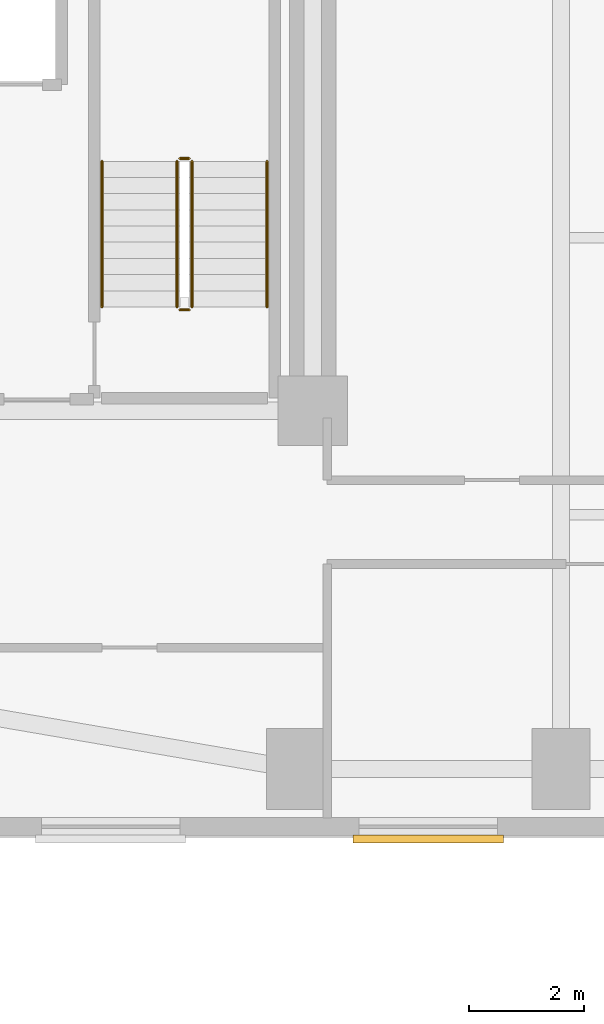
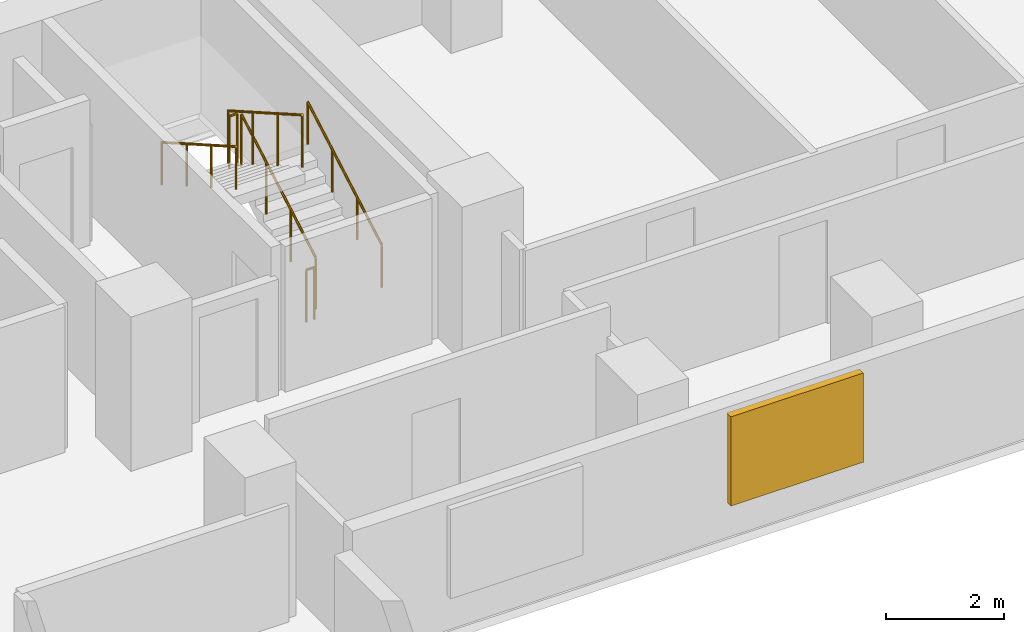
# One storey, part 15 of 17: 6 railings, 1 shading device.
"""IFC4 building model written with IfcOpenShell, lengths in metres."""

from ifc_helpers import new_model, si_unit, direction, frame, origin, origin_2d, place, context, subcontext, project, spatial, rectangle, circle, extrude, material, layer, layer_set, type_object, element, save


model = new_model("IFC4")

# Units and contexts
model_context = context("Model", 3, precision=1e-05, world=origin(), true_north=direction((0.0, 1.0)))
body_context = subcontext(model_context, "Body", "Model", "MODEL_VIEW")
ifc_project = project(units=[si_unit("LENGTHUNIT", "METRE"), si_unit("AREAUNIT", "SQUARE_METRE"), si_unit("VOLUMEUNIT", "CUBIC_METRE"), si_unit("PLANEANGLEUNIT", "RADIAN"), si_unit("MASSUNIT", "GRAM", prefix="KILO")], contexts=[model_context])

# Site, building, storey
site_placement = place(None, origin())
site = spatial("IfcSite", under=ifc_project, at=site_placement, CompositionType="ELEMENT")
building_placement = place(site_placement, origin())
building = spatial("IfcBuilding", under=site, at=building_placement, Name="Kuzgunbayir Cultural Tower", CompositionType="ELEMENT")
storey_placement = place(building_placement, frame((0.0, 0.0, 43.60009765625)))
storey = spatial("IfcBuildingStorey", under=building, at=storey_placement, Name="L11", CompositionType="ELEMENT", Elevation=43.60009765625)

# Railings
ifc_material_1 = material(Name="Brushed Stainless Steel", Category="steel")
ifc_layer_1 = layer(ifc_material_1, 0.050048828125)
ifc_layer_set_1 = layer_set([ifc_layer_1], Name="Brushed Stainless Steel")
railing_type_1 = type_object("IfcRailingType", Name="RLG-STAIR-HANDRAIL", PredefinedType="HANDRAIL", material=ifc_layer_set_1)
railing_1_placement = place(storey_placement, frame((26.110107421875, 35.60009765625, 0.159912109375)))
element("IfcRailing", 1, at=railing_1_placement, inside=storey, type_object=railing_type_1, Name="L11 ST-2 stair handrail 1", PredefinedType="HANDRAIL", context=body_context, shape_type="SweptSolid", body=[
    extrude(circle(Radius=0.02392578125, at=origin_2d()), frame((0.0, 0.0, 0.8759765625), z_axis=(0.0, 0.868253494771, 0.496120820787), x_axis=(-1.0, 0.0, 0.0)), (0.0, 0.0, 1.0), 2.90234375),
    extrude(circle(Radius=0.02099609375, at=origin_2d()), origin(), (0.0, 0.0, 1.0), 0.851806640625),
    extrude(circle(Radius=0.02099609375, at=origin_2d()), frame((0.0, 0.840087890625, 0.47998046875)), (0.0, 0.0, 1.0), 0.851806640625),
    extrude(circle(Radius=0.02099609375, at=origin_2d()), frame((0.0, 1.679931640625, 0.9599609375)), (0.0, 0.0, 1.0), 0.851806640625),
    extrude(circle(Radius=0.02099609375, at=origin_2d()), frame((0.0, 2.52001953125, 1.43994140625)), (0.0, 0.0, 1.0), 0.851806640625),
])
railing_2_placement = place(storey_placement, frame((23.25, 38.1201171875, 1.760009765625)))
element("IfcRailing", 2, at=railing_2_placement, inside=storey, type_object=railing_type_1, Name="L11 ST-2 stair handrail 2", PredefinedType="HANDRAIL", context=body_context, shape_type="SweptSolid", body=[
    extrude(circle(Radius=0.02392578125, at=origin_2d()), frame((0.0, 0.0, 0.8759765625), z_axis=(0.0, -0.868253494771, 0.496120820787), x_axis=(1.0, 0.0, 0.0)), (0.0, 0.0, 1.0), 2.90234375),
    extrude(circle(Radius=0.02099609375, at=origin_2d()), origin(), (0.0, 0.0, 1.0), 0.851806640625),
    extrude(circle(Radius=0.02099609375, at=origin_2d()), frame((0.0, -0.840087890625, 0.47998046875)), (0.0, 0.0, 1.0), 0.851806640625),
    extrude(circle(Radius=0.02099609375, at=origin_2d()), frame((0.0, -1.679931640625, 0.9599609375)), (0.0, 0.0, 1.0), 0.851806640625),
    extrude(circle(Radius=0.02099609375, at=origin_2d()), frame((0.0, -2.52001953125, 1.43994140625)), (0.0, 0.0, 1.0), 0.851806640625),
])
ifc_material_2 = material(Name="Painted Steel Balustrade", Category="steel")
ifc_layer_2 = layer(ifc_material_2, 0.06005859375)
ifc_layer_set_2 = layer_set([ifc_layer_2], Name="Painted Steel Balustrade")
railing_type_2 = type_object("IfcRailingType", Name="RLG-WELL-GUARD", PredefinedType="GUARDRAIL", material=ifc_layer_set_2)
railing_3_placement = place(storey_placement, frame((24.81005859375, 35.60009765625, 0.159912109375)))
element("IfcRailing", 3, at=railing_3_placement, inside=storey, type_object=railing_type_2, Name="L11 ST-2 stair guard 1", PredefinedType="GUARDRAIL", context=body_context, shape_type="SweptSolid", body=[
    extrude(circle(Radius=0.02392578125, at=origin_2d()), frame((0.0, 0.0, 1.076171875), z_axis=(0.0, 0.868253494771, 0.496120820787), x_axis=(-1.0, 0.0, 0.0)), (0.0, 0.0, 1.0), 2.90234375),
    extrude(circle(Radius=0.02099609375, at=origin_2d()), origin(), (0.0, 0.0, 1.0), 1.052001953125),
    extrude(circle(Radius=0.02099609375, at=origin_2d()), frame((0.0, 0.840087890625, 0.47998046875)), (0.0, 0.0, 1.0), 1.052001953125),
    extrude(circle(Radius=0.02099609375, at=origin_2d()), frame((0.0, 1.679931640625, 0.9599609375)), (0.0, 0.0, 1.0), 1.052001953125),
    extrude(circle(Radius=0.02099609375, at=origin_2d()), frame((0.0, 2.52001953125, 1.43994140625)), (0.0, 0.0, 1.0), 1.052001953125),
])
railing_4_placement = place(storey_placement, frame((24.760009765625, 38.169921875, 1.599853515625)))
element("IfcRailing", 4, at=railing_4_placement, inside=storey, type_object=railing_type_2, Name="L11 ST-2 stair guard 2", PredefinedType="GUARDRAIL", context=body_context, shape_type="SweptSolid", body=[
    extrude(circle(Radius=0.02392578125, at=origin_2d()), frame((0.0, 0.0, 1.076171875), z_axis=(-1.0, 0.0, 0.0), x_axis=(0.0, -1.0, 0.0)), (0.0, 0.0, 1.0), 0.159912109375),
    extrude(circle(Radius=0.02099609375, at=origin_2d()), origin(), (0.0, 0.0, 1.0), 1.052001953125),
    extrude(circle(Radius=0.02099609375, at=origin_2d()), frame((-0.159912109375, 0.0, 0.0)), (0.0, 0.0, 1.0), 1.052001953125),
])
railing_5_placement = place(storey_placement, frame((24.550048828125, 38.1201171875, 1.760009765625)))
element("IfcRailing", 5, at=railing_5_placement, inside=storey, type_object=railing_type_2, Name="L11 ST-2 stair guard 3", PredefinedType="GUARDRAIL", context=body_context, shape_type="SweptSolid", body=[
    extrude(circle(Radius=0.02392578125, at=origin_2d()), frame((0.0, 0.0, 1.076171875), z_axis=(0.0, -0.868253494771, 0.496120820787), x_axis=(1.0, 0.0, 0.0)), (0.0, 0.0, 1.0), 2.90234375),
    extrude(circle(Radius=0.02099609375, at=origin_2d()), origin(), (0.0, 0.0, 1.0), 1.052001953125),
    extrude(circle(Radius=0.02099609375, at=origin_2d()), frame((0.0, -0.840087890625, 0.47998046875)), (0.0, 0.0, 1.0), 1.052001953125),
    extrude(circle(Radius=0.02099609375, at=origin_2d()), frame((0.0, -1.679931640625, 0.9599609375)), (0.0, 0.0, 1.0), 1.052001953125),
    extrude(circle(Radius=0.02099609375, at=origin_2d()), frame((0.0, -2.52001953125, 1.43994140625)), (0.0, 0.0, 1.0), 1.052001953125),
])
railing_6_placement = place(storey_placement, frame((24.760009765625, 35.550048828125, 0.0)))
element("IfcRailing", 6, at=railing_6_placement, inside=storey, type_object=railing_type_2, Name="L11 ST-2 stair guard 4", PredefinedType="GUARDRAIL", context=body_context, shape_type="SweptSolid", body=[
    extrude(circle(Radius=0.02392578125, at=origin_2d()), frame((0.0, 0.0, 1.076171875), z_axis=(-1.0, 0.0, 0.0), x_axis=(0.0, -1.0, 0.0)), (0.0, 0.0, 1.0), 0.159912109375),
    extrude(circle(Radius=0.02099609375, at=origin_2d()), origin(), (0.0, 0.0, 1.0), 1.052001953125),
    extrude(circle(Radius=0.02099609375, at=origin_2d()), frame((-0.159912109375, 0.0, 0.0)), (0.0, 0.0, 1.0), 1.052001953125),
])

# Shading device
ifc_material_3 = material(Name="Perforated Bronze-Anodised Aluminium", Category="aluminium")
shading_device_type = type_object("IfcShadingDeviceType", Name="SHD-SOLAR-BRONZE", PredefinedType="JALOUSIE", material=ifc_material_3)
shading_device_placement = place(storey_placement, frame((28.89990234375, 26.389892578125, 0.724853515625), z_axis=(0.0, 0.0, 1.0), x_axis=(1.0, 0.0, 0.0)))
element("IfcShadingDevice", 7, at=shading_device_placement, inside=storey, type_object=shading_device_type, Name="L11 Solar Screen WBS7", PredefinedType="JALOUSIE", context=body_context, shape_type="SweptSolid", body=[
    extrude(rectangle(XDim=2.60009765625, YDim=0.139892578125, at=origin_2d()), origin(), (0.0, 0.0, 1.0), 1.85009765625),
])

save(model, "model.ifc")
